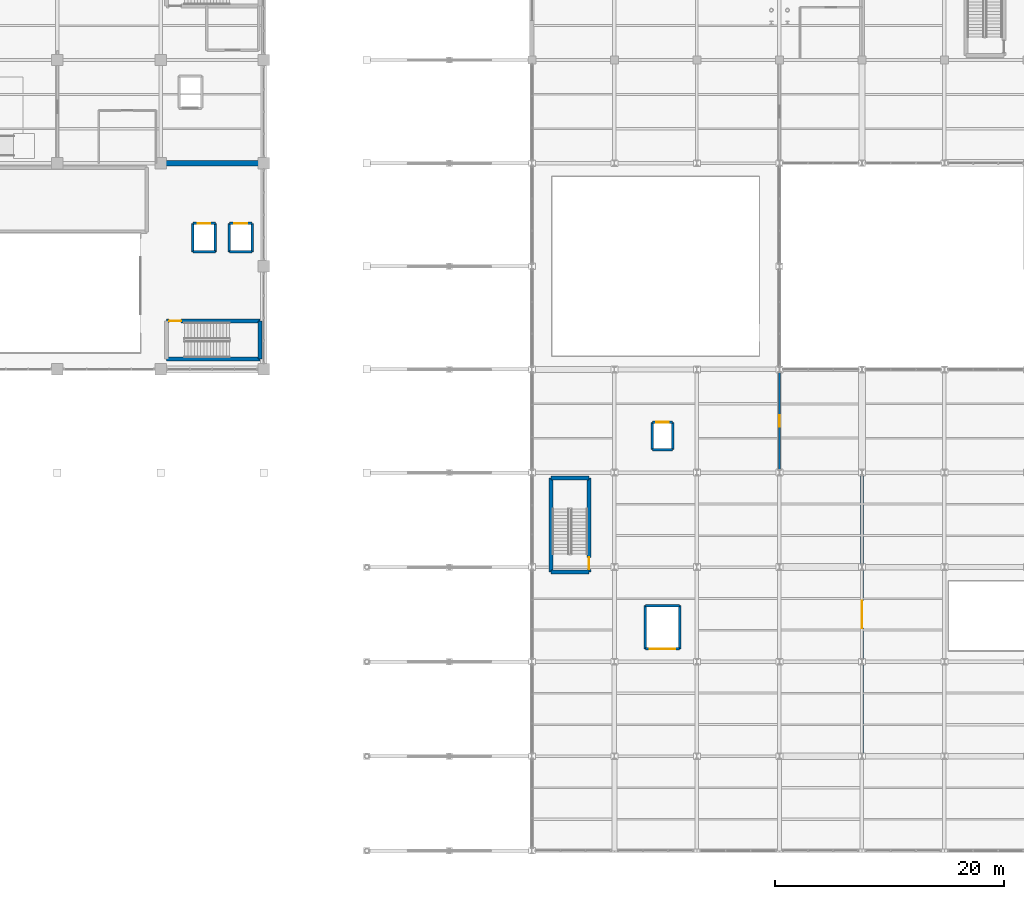
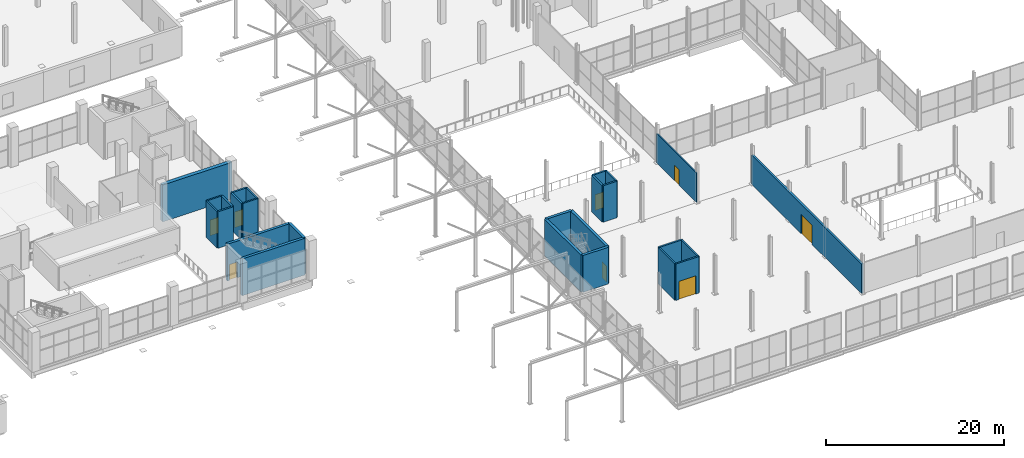
# One storey, part 130 of 147: 26 walls, 8 doors, 8 openings.
"""IFC4 building model written with IfcOpenShell, lengths in metres."""

from ifc_helpers import new_model, si_unit, direction, frame, frame_2d, origin, place, context, subcontext, project, spatial, rectangle, extrude, material, layer, layer_set, type_object, element, fill, save


model = new_model("IFC4")

# Units and contexts
model_context = context("Model", 3, precision=1e-05, world=origin(), true_north=direction((0.0, 1.0)))
body_context = subcontext(model_context, "Body", "Model", "MODEL_VIEW")
ifc_project = project(units=[si_unit("LENGTHUNIT", "METRE"), si_unit("AREAUNIT", "SQUARE_METRE"), si_unit("VOLUMEUNIT", "CUBIC_METRE"), si_unit("PLANEANGLEUNIT", "RADIAN"), si_unit("MASSUNIT", "GRAM", prefix="KILO")], contexts=[model_context])

# Site, building, storey
site_placement = place(None, origin())
site = spatial("IfcSite", under=ifc_project, at=site_placement, CompositionType="ELEMENT")
building_placement = place(site_placement, origin())
building = spatial("IfcBuilding", under=site, at=building_placement, Name="Sundgate Opera House", CompositionType="ELEMENT")
storey_placement = place(building_placement, frame((0.0, 0.0, 6.0)))
storey = spatial("IfcBuildingStorey", under=building, at=storey_placement, Name="L01", CompositionType="ELEMENT", Elevation=6.0)

# Wall
ifc_material_1 = material(Name="Concrete C40/50", Category="concrete")
ifc_layer_1 = layer(ifc_material_1, 0.35009765625)
ifc_layer_set_1 = layer_set([ifc_layer_1], Name="Concrete C40/50")
wall_type_1 = type_object("IfcWallType", Name="WL-CORE-350", PredefinedType="SHEAR", material=ifc_layer_set_1)
wall_1_placement = place(storey_placement, frame((63.510009765625, 42.909912109375, 0.0), z_axis=(0.0, 0.0, 1.0), x_axis=(1.0, 0.0, 0.0)))
element("IfcWall", 1, at=wall_1_placement, inside=storey, type_object=wall_type_1, Name="L01 C3 South Shaft Wall", PredefinedType="SHEAR", context=body_context, shape_type="SweptSolid", body=[
    extrude(rectangle(XDim=8.179931640625, YDim=0.35009765625, at=frame_2d((4.08984375, 0.0))), origin(), (0.0, 0.0, 1.0), 5.050048828125),
])

# Wall, opening, door
wall_2_placement = place(storey_placement, frame((63.510009765625, 46.239990234375, 0.0), z_axis=(0.0, 0.0, 1.0), x_axis=(1.0, 0.0, 0.0)))
wall_2 = element("IfcWall", 2, at=wall_2_placement, inside=storey, type_object=wall_type_1, Name="L01 C3 North Shaft Wall", PredefinedType="SHEAR", context=body_context, shape_type="SweptSolid", body=[
    extrude(rectangle(XDim=8.179931640625, YDim=0.35009765625, at=frame_2d((4.08984375, 0.0))), origin(), (0.0, 0.0, 1.0), 5.050048828125),
])
opening_1_placement = place(wall_2_placement, frame((0.239990234375, 0.0, 0.0)))
opening_1 = element("IfcOpeningElement", 3, at=opening_1_placement, cuts=wall_2, Name="Opening DI01", PredefinedType="OPENING", context=body_context, shape_type="SweptSolid", body=[
    extrude(rectangle(XDim=1.050048828125, YDim=2.179931640625, at=frame_2d((0.52490234375, 1.08984375))), frame((0.0, 0.18505859375, 0.0), z_axis=(0.0, -1.0, 0.0), x_axis=(1.0, 0.0, 0.0)), (0.0, 0.0, 1.0), 0.3701171875),
])
ifc_material_2 = material(Name="Acoustic hardwood timber and steel core", Category="steel")
door_type_1 = type_object("IfcDoorType", Name="DR-STAIR-1050x2180", OperationType="NOTDEFINED", PredefinedType="DOOR", material=ifc_material_2)
door_1_placement = place(opening_1_placement, origin())
door_1 = element("IfcDoor", 4, at=door_1_placement, inside=storey, type_object=door_type_1, Name="L01 C3 Stair Door D0050", OperationType="SINGLE_SWING_RIGHT", OverallHeight=2.179931640625, OverallWidth=1.050048828125, PredefinedType="DOOR", context=body_context, shape_type="SweptSolid", body=[
    extrude(rectangle(XDim=1.050048828125, YDim=2.179931640625, at=frame_2d((0.52490234375, 1.08984375))), frame((0.0, 0.02490234375, 0.0), z_axis=(0.0, -1.0, 0.0), x_axis=(1.0, 0.0, 0.0)), (0.0, 0.0, 1.0), 0.050048828125),
])
fill(opening_1, door_1)

# Walls
wall_3_placement = place(storey_placement, frame((71.68994140625, 42.909912109375, 0.0), z_axis=(0.0, 0.0, 1.0), x_axis=(0.0, 1.0, 0.0)))
element("IfcWall", 5, at=wall_3_placement, inside=storey, type_object=wall_type_1, Name="L01 C3 East Shaft Wall", PredefinedType="SHEAR", context=body_context, shape_type="SweptSolid", body=[
    extrude(rectangle(XDim=3.330078125, YDim=0.35009765625, at=frame_2d((1.6650390625, 0.0))), origin(), (0.0, 0.0, 1.0), 5.050048828125),
])
for number, where, z_axis, x_axis, name in (
    (6, (97.06005859375, 24.31005859375, 0.0), (0.0, 0.0, 1.0), (1.0, 0.0, 0.0), "L01 C7 South Shaft Wall"),
    (7, (97.06005859375, 32.5400390625, 0.0), (0.0, 0.0, 1.0), (1.0, 0.0, 0.0), "L01 C7 North Shaft Wall"),
):
    element("IfcWall", number, at=place(storey_placement, frame(where, z_axis=z_axis, x_axis=x_axis)), inside=storey, type_object=wall_type_1, Name=name, PredefinedType="SHEAR", context=body_context, shape_type="SweptSolid", body=[
        extrude(rectangle(XDim=3.329833984375, YDim=0.35009765625, at=frame_2d((1.6650390625, 0.0))), origin(), (0.0, 0.0, 1.0), 5.050048828125),
    ])
wall_4_placement = place(storey_placement, frame((97.06005859375, 24.31005859375, 0.0), z_axis=(0.0, 0.0, 1.0), x_axis=(0.0, 1.0, 0.0)))
element("IfcWall", 8, at=wall_4_placement, inside=storey, type_object=wall_type_1, Name="L01 C7 West Shaft Wall", PredefinedType="SHEAR", context=body_context, shape_type="SweptSolid", body=[
    extrude(rectangle(XDim=8.22998046875, YDim=0.35009765625, at=frame_2d((4.114990234375, 0.0))), origin(), (0.0, 0.0, 1.0), 5.050048828125),
])

# Wall, opening, door
wall_5_placement = place(storey_placement, frame((100.389892578125, 24.31005859375, 0.0), z_axis=(0.0, 0.0, 1.0), x_axis=(0.0, 1.0, 0.0)))
wall_5 = element("IfcWall", 9, at=wall_5_placement, inside=storey, type_object=wall_type_1, Name="L01 C7 East Shaft Wall", PredefinedType="SHEAR", context=body_context, shape_type="SweptSolid", body=[
    extrude(rectangle(XDim=8.22998046875, YDim=0.35009765625, at=frame_2d((4.114990234375, 0.0))), origin(), (0.0, 0.0, 1.0), 5.050048828125),
])
opening_2_placement = place(wall_5_placement, frame((0.239990234375, 0.0, 0.0)))
opening_2 = element("IfcOpeningElement", 10, at=opening_2_placement, cuts=wall_5, Name="Opening DI01", PredefinedType="OPENING", context=body_context, shape_type="SweptSolid", body=[
    extrude(rectangle(XDim=1.050048828125, YDim=2.179931640625, at=frame_2d((0.52490234375, 1.08984375))), frame((0.0, 0.18505859375, 0.0), z_axis=(0.0, -1.0, 0.0), x_axis=(1.0, 0.0, 0.0)), (0.0, 0.0, 1.0), 0.3701171875),
])
door_2_placement = place(opening_2_placement, origin())
door_2 = element("IfcDoor", 11, at=door_2_placement, inside=storey, type_object=door_type_1, Name="L01 C7 Stair Door D0085", OperationType="SINGLE_SWING_LEFT", OverallHeight=2.179931640625, OverallWidth=1.050048828125, PredefinedType="DOOR", context=body_context, shape_type="SweptSolid", body=[
    extrude(rectangle(XDim=1.050048828125, YDim=2.179931640625, at=frame_2d((0.52490234375, 1.08984375))), frame((0.0, 0.02490234375, 0.0), z_axis=(0.0, -1.0, 0.0), x_axis=(1.0, 0.0, 0.0)), (0.0, 0.0, 1.0), 0.050048828125),
])
fill(opening_2, door_2)

ifc_material_3 = material(Name="Acoustic masonry partition wall", Category="masonry")
ifc_layer_2 = layer(ifc_material_3, 0.260009765625)
ifc_layer_set_2 = layer_set([ifc_layer_2], Name="Acoustic masonry partition wall")
wall_type_2 = type_object("IfcWallType", Name="WL-INT-ACOUST-260", PredefinedType="PARTITIONING", material=ifc_layer_set_2)
wall_6_placement = place(storey_placement, frame((124.199951171875, 8.25, 0.0), z_axis=(0.0, 0.0, 1.0), x_axis=(0.0, 1.0, 0.0)))
wall_6 = element("IfcWall", 12, at=wall_6_placement, inside=storey, type_object=wall_type_2, Name="L01 Interior Partition W1034", PredefinedType="PARTITIONING", context=body_context, shape_type="SweptSolid", body=[
    extrude(rectangle(XDim=24.75, YDim=0.260009765625, at=frame_2d((12.375, 0.0))), origin(), (0.0, 0.0, 1.0), 4.06494140625),
])
opening_3_placement = place(wall_6_placement, frame((11.175048828125, 0.0, 0.0)))
opening_3 = element("IfcOpeningElement", 13, at=opening_3_placement, cuts=wall_6, Name="Opening DI05", PredefinedType="OPENING", context=body_context, shape_type="SweptSolid", body=[
    extrude(rectangle(XDim=2.39990234375, YDim=2.64990234375, at=frame_2d((1.199951171875, 1.324951171875))), frame((0.0, 0.139892578125, 0.0), z_axis=(0.0, -1.0, 0.0), x_axis=(1.0, 0.0, 0.0)), (0.0, 0.0, 1.0), 0.280029296875),
])
ifc_material_4 = material(Name="Acoustic hardwood timber and steel core", Category="steel")
door_type_2 = type_object("IfcDoorType", Name="DR-STAGE-2400x2650", OperationType="DOUBLE_DOOR_SINGLE_SWING", PredefinedType="DOOR", material=ifc_material_4)
door_3_placement = place(opening_3_placement, origin())
door_3 = element("IfcDoor", 14, at=door_3_placement, inside=storey, type_object=door_type_2, Name="L01 Interior Door D0203", OperationType="DOUBLE_DOOR_SINGLE_SWING", OverallHeight=2.64990234375, OverallWidth=2.39990234375, PredefinedType="DOOR", context=body_context, shape_type="SweptSolid", body=[
    extrude(rectangle(XDim=2.39990234375, YDim=2.64990234375, at=frame_2d((1.199951171875, 1.324951171875))), frame((0.0, 0.02490234375, 0.0), z_axis=(0.0, -1.0, 0.0), x_axis=(1.0, 0.0, 0.0)), (0.0, 0.0, 1.0), 0.050048828125),
])
fill(opening_3, door_3)

# Wall
ifc_material_5 = material(Name="Fire-rated gypsum and mineral-wool shaft partition", Category="gypsum")
ifc_layer_3 = layer(ifc_material_5, 0.219970703125)
ifc_layer_set_3 = layer_set([ifc_layer_3], Name="Fire-rated gypsum and mineral-wool shaft partition")
wall_type_3 = type_object("IfcWallType", Name="WL-INT-FIRE-220", PredefinedType="PARTITIONING", material=ifc_layer_set_3)
wall_7_placement = place(storey_placement, frame((65.81005859375, 52.260009765625, 0.0), z_axis=(0.0, 0.0, 1.0), x_axis=(1.0, 0.0, 0.0)))
element("IfcWall", 15, at=wall_7_placement, inside=storey, type_object=wall_type_3, Name="L01 LF-01 South Shaft Wall", PredefinedType="PARTITIONING", context=body_context, shape_type="SweptSolid", body=[
    extrude(rectangle(XDim=1.97998046875, YDim=0.219970703125, at=frame_2d((0.989990234375, 0.0))), origin(), (0.0, 0.0, 1.0), 5.014892578125),
])

# Wall, opening, door
wall_8_placement = place(storey_placement, frame((65.81005859375, 54.739990234375, 0.0), z_axis=(0.0, 0.0, 1.0), x_axis=(1.0, 0.0, 0.0)))
wall_8 = element("IfcWall", 16, at=wall_8_placement, inside=storey, type_object=wall_type_3, Name="L01 LF-01 North Shaft Wall", PredefinedType="PARTITIONING", context=body_context, shape_type="SweptSolid", body=[
    extrude(rectangle(XDim=1.97998046875, YDim=0.219970703125, at=frame_2d((0.989990234375, 0.0))), origin(), (0.0, 0.0, 1.0), 5.014892578125),
])
opening_4_placement = place(wall_8_placement, frame((0.43994140625, 0.0, 0.0)))
opening_4 = element("IfcOpeningElement", 17, at=opening_4_placement, cuts=wall_8, Name="Opening LD1", PredefinedType="OPENING", context=body_context, shape_type="SweptSolid", body=[
    extrude(rectangle(XDim=1.10009765625, YDim=2.179931640625, at=frame_2d((0.550048828125, 1.08984375))), frame((0.0, 0.119873046875, 0.0), z_axis=(0.0, -1.0, 0.0), x_axis=(1.0, 0.0, 0.0)), (0.0, 0.0, 1.0), 0.239990234375),
])
ifc_material_6 = material(Name="Brushed stainless steel EN 1.4301", Category="steel")
door_type_3 = type_object("IfcDoorType", Name="DR-LIFT-1100x2180", OperationType="DOUBLE_DOOR_SLIDING", PredefinedType="DOOR", material=ifc_material_6)
door_4_placement = place(opening_4_placement, origin())
door_4 = element("IfcDoor", 18, at=door_4_placement, inside=storey, type_object=door_type_3, Name="L01 LF-01 Landing Door D0094", OperationType="DOUBLE_DOOR_SLIDING", OverallHeight=2.179931640625, OverallWidth=1.10009765625, PredefinedType="DOOR", context=body_context, shape_type="SweptSolid", body=[
    extrude(rectangle(XDim=1.10009765625, YDim=2.179931640625, at=frame_2d((0.550048828125, 1.08984375))), frame((0.0, 0.02490234375, 0.0), z_axis=(0.0, -1.0, 0.0), x_axis=(1.0, 0.0, 0.0)), (0.0, 0.0, 1.0), 0.050048828125),
])
fill(opening_4, door_4)

# Walls
for number, where, z_axis, x_axis, name in (
    (19, (65.81005859375, 52.260009765625, 0.0), (0.0, 0.0, 1.0), (0.0, 1.0, 0.0), "L01 LF-01 West Shaft Wall"),
    (20, (67.7900390625, 52.260009765625, 0.0), (0.0, 0.0, 1.0), (0.0, 1.0, 0.0), "L01 LF-01 East Shaft Wall"),
):
    element("IfcWall", number, at=place(storey_placement, frame(where, z_axis=z_axis, x_axis=x_axis)), inside=storey, type_object=wall_type_3, Name=name, PredefinedType="PARTITIONING", context=body_context, shape_type="SweptSolid", body=[
        extrude(rectangle(XDim=2.47998046875, YDim=0.219970703125, at=frame_2d((1.239990234375, 0.0))), origin(), (0.0, 0.0, 1.0), 5.014892578125),
    ])
wall_9_placement = place(storey_placement, frame((69.010009765625, 52.260009765625, 0.0), z_axis=(0.0, 0.0, 1.0), x_axis=(1.0, 0.0, 0.0)))
element("IfcWall", 21, at=wall_9_placement, inside=storey, type_object=wall_type_3, Name="L01 LF-02 South Shaft Wall", PredefinedType="PARTITIONING", context=body_context, shape_type="SweptSolid", body=[
    extrude(rectangle(XDim=1.97998046875, YDim=0.219970703125, at=frame_2d((0.989990234375, 0.0))), origin(), (0.0, 0.0, 1.0), 5.014892578125),
])

# Wall, opening, door
wall_10_placement = place(storey_placement, frame((69.010009765625, 54.739990234375, 0.0), z_axis=(0.0, 0.0, 1.0), x_axis=(1.0, 0.0, 0.0)))
wall_10 = element("IfcWall", 22, at=wall_10_placement, inside=storey, type_object=wall_type_3, Name="L01 LF-02 North Shaft Wall", PredefinedType="PARTITIONING", context=body_context, shape_type="SweptSolid", body=[
    extrude(rectangle(XDim=1.97998046875, YDim=0.219970703125, at=frame_2d((0.989990234375, 0.0))), origin(), (0.0, 0.0, 1.0), 5.014892578125),
])
opening_5_placement = place(wall_10_placement, frame((0.43994140625, 0.0, 0.0)))
opening_5 = element("IfcOpeningElement", 23, at=opening_5_placement, cuts=wall_10, Name="Opening LD1", PredefinedType="OPENING", context=body_context, shape_type="SweptSolid", body=[
    extrude(rectangle(XDim=1.10009765625, YDim=2.179931640625, at=frame_2d((0.550048828125, 1.08984375))), frame((0.0, 0.119873046875, 0.0), z_axis=(0.0, -1.0, 0.0), x_axis=(1.0, 0.0, 0.0)), (0.0, 0.0, 1.0), 0.239990234375),
])
door_5_placement = place(opening_5_placement, origin())
door_5 = element("IfcDoor", 24, at=door_5_placement, inside=storey, type_object=door_type_3, Name="L01 LF-02 Landing Door D0101", OperationType="DOUBLE_DOOR_SLIDING", OverallHeight=2.179931640625, OverallWidth=1.10009765625, PredefinedType="DOOR", context=body_context, shape_type="SweptSolid", body=[
    extrude(rectangle(XDim=1.10009765625, YDim=2.179931640625, at=frame_2d((0.550048828125, 1.08984375))), frame((0.0, 0.02490234375, 0.0), z_axis=(0.0, -1.0, 0.0), x_axis=(1.0, 0.0, 0.0)), (0.0, 0.0, 1.0), 0.050048828125),
])
fill(opening_5, door_5)

# Walls
for number, where, z_axis, x_axis, name in (
    (25, (69.010009765625, 52.260009765625, 0.0), (0.0, 0.0, 1.0), (0.0, 1.0, 0.0), "L01 LF-02 West Shaft Wall"),
    (26, (70.989990234375, 52.260009765625, 0.0), (0.0, 0.0, 1.0), (0.0, 1.0, 0.0), "L01 LF-02 East Shaft Wall"),
):
    element("IfcWall", number, at=place(storey_placement, frame(where, z_axis=z_axis, x_axis=x_axis)), inside=storey, type_object=wall_type_3, Name=name, PredefinedType="PARTITIONING", context=body_context, shape_type="SweptSolid", body=[
        extrude(rectangle(XDim=2.47998046875, YDim=0.219970703125, at=frame_2d((1.239990234375, 0.0))), origin(), (0.0, 0.0, 1.0), 5.014892578125),
    ])
wall_11_placement = place(storey_placement, frame((105.909912109375, 35.010009765625, 0.0), z_axis=(0.0, 0.0, 1.0), x_axis=(1.0, 0.0, 0.0)))
element("IfcWall", 27, at=wall_11_placement, inside=storey, type_object=wall_type_3, Name="L01 LF-05 South Shaft Wall", PredefinedType="PARTITIONING", context=body_context, shape_type="SweptSolid", body=[
    extrude(rectangle(XDim=1.780029296875, YDim=0.219970703125, at=frame_2d((0.89013671875, 0.0))), origin(), (0.0, 0.0, 1.0), 5.014892578125),
])

# Wall, opening, door
wall_12_placement = place(storey_placement, frame((105.909912109375, 37.389892578125, 0.0), z_axis=(0.0, 0.0, 1.0), x_axis=(1.0, 0.0, 0.0)))
wall_12 = element("IfcWall", 28, at=wall_12_placement, inside=storey, type_object=wall_type_3, Name="L01 LF-05 North Shaft Wall", PredefinedType="PARTITIONING", context=body_context, shape_type="SweptSolid", body=[
    extrude(rectangle(XDim=1.780029296875, YDim=0.219970703125, at=frame_2d((0.89013671875, 0.0))), origin(), (0.0, 0.0, 1.0), 5.014892578125),
])
opening_6_placement = place(wall_12_placement, frame((0.340087890625, 0.0, 0.0)))
opening_6 = element("IfcOpeningElement", 29, at=opening_6_placement, cuts=wall_12, Name="Opening LD1", PredefinedType="OPENING", context=body_context, shape_type="SweptSolid", body=[
    extrude(rectangle(XDim=1.10009765625, YDim=2.179931640625, at=frame_2d((0.550048828125, 1.08984375))), frame((0.0, 0.119873046875, 0.0), z_axis=(0.0, -1.0, 0.0), x_axis=(1.0, 0.0, 0.0)), (0.0, 0.0, 1.0), 0.239990234375),
])
door_6_placement = place(opening_6_placement, origin())
door_6 = element("IfcDoor", 30, at=door_6_placement, inside=storey, type_object=door_type_3, Name="L01 LF-05 Landing Door D0121", OperationType="DOUBLE_DOOR_SLIDING", OverallHeight=2.179931640625, OverallWidth=1.10009765625, PredefinedType="DOOR", context=body_context, shape_type="SweptSolid", body=[
    extrude(rectangle(XDim=1.10009765625, YDim=2.179931640625, at=frame_2d((0.550048828125, 1.08984375))), frame((0.0, 0.02490234375, 0.0), z_axis=(0.0, -1.0, 0.0), x_axis=(1.0, 0.0, 0.0)), (0.0, 0.0, 1.0), 0.050048828125),
])
fill(opening_6, door_6)

# Walls
for number, where, z_axis, x_axis, name in (
    (31, (105.909912109375, 35.010009765625, 0.0), (0.0, 0.0, 1.0), (0.0, 1.0, 0.0), "L01 LF-05 West Shaft Wall"),
    (32, (107.68994140625, 35.010009765625, 0.0), (0.0, 0.0, 1.0), (0.0, 1.0, 0.0), "L01 LF-05 East Shaft Wall"),
):
    element("IfcWall", number, at=place(storey_placement, frame(where, z_axis=z_axis, x_axis=x_axis)), inside=storey, type_object=wall_type_3, Name=name, PredefinedType="PARTITIONING", context=body_context, shape_type="SweptSolid", body=[
        extrude(rectangle(XDim=2.3798828125, YDim=0.219970703125, at=frame_2d((1.18994140625, 0.0))), origin(), (0.0, 0.0, 1.0), 5.014892578125),
    ])

# Wall, opening, door
wall_13_placement = place(storey_placement, frame((105.31005859375, 17.610107421875, 0.0), z_axis=(0.0, 0.0, 1.0), x_axis=(1.0, 0.0, 0.0)))
wall_13 = element("IfcWall", 33, at=wall_13_placement, inside=storey, type_object=wall_type_3, Name="L01 GL-02 South Shaft Wall", PredefinedType="PARTITIONING", context=body_context, shape_type="SweptSolid", body=[
    extrude(rectangle(XDim=2.97998046875, YDim=0.219970703125, at=frame_2d((1.489990234375, 0.0))), origin(), (0.0, 0.0, 1.0), 5.014892578125),
])
opening_7_placement = place(wall_13_placement, frame((0.389892578125, 0.0, 0.0)))
opening_7 = element("IfcOpeningElement", 34, at=opening_7_placement, cuts=wall_13, Name="Opening LD3", PredefinedType="OPENING", context=body_context, shape_type="SweptSolid", body=[
    extrude(rectangle(XDim=2.199951171875, YDim=2.5, at=frame_2d((1.10009765625, 1.25))), frame((0.0, 0.119873046875, 0.0), z_axis=(0.0, -1.0, 0.0), x_axis=(1.0, 0.0, 0.0)), (0.0, 0.0, 1.0), 0.239990234375),
])
ifc_material_7 = material(Name="Brushed stainless steel EN 1.4301", Category="steel")
door_type_4 = type_object("IfcDoorType", Name="DR-LIFT-2200x2500", OperationType="DOUBLE_DOOR_SLIDING", PredefinedType="DOOR", material=ifc_material_7)
door_7_placement = place(opening_7_placement, origin())
door_7 = element("IfcDoor", 35, at=door_7_placement, inside=storey, type_object=door_type_4, Name="L01 GL-02 Landing Door D0151", OperationType="DOUBLE_DOOR_SLIDING", OverallHeight=2.5, OverallWidth=2.199951171875, PredefinedType="DOOR", context=body_context, shape_type="SweptSolid", body=[
    extrude(rectangle(XDim=2.199951171875, YDim=2.5, at=frame_2d((1.10009765625, 1.25))), frame((0.0, 0.02490234375, 0.0), z_axis=(0.0, -1.0, 0.0), x_axis=(1.0, 0.0, 0.0)), (0.0, 0.0, 1.0), 0.050048828125),
])
fill(opening_7, door_7)

# Walls
wall_14_placement = place(storey_placement, frame((105.31005859375, 21.389892578125, 0.0), z_axis=(0.0, 0.0, 1.0), x_axis=(1.0, 0.0, 0.0)))
element("IfcWall", 36, at=wall_14_placement, inside=storey, type_object=wall_type_3, Name="L01 GL-02 North Shaft Wall", PredefinedType="PARTITIONING", context=body_context, shape_type="SweptSolid", body=[
    extrude(rectangle(XDim=2.97998046875, YDim=0.219970703125, at=frame_2d((1.489990234375, 0.0))), origin(), (0.0, 0.0, 1.0), 5.014892578125),
])
for number, where, z_axis, x_axis, name in (
    (37, (105.31005859375, 17.610107421875, 0.0), (0.0, 0.0, 1.0), (0.0, 1.0, 0.0), "L01 GL-02 West Shaft Wall"),
    (38, (108.2900390625, 17.610107421875, 0.0), (0.0, 0.0, 1.0), (0.0, 1.0, 0.0), "L01 GL-02 East Shaft Wall"),
):
    element("IfcWall", number, at=place(storey_placement, frame(where, z_axis=z_axis, x_axis=x_axis)), inside=storey, type_object=wall_type_3, Name=name, PredefinedType="PARTITIONING", context=body_context, shape_type="SweptSolid", body=[
        extrude(rectangle(XDim=3.77978515625, YDim=0.219970703125, at=frame_2d((1.889892578125, 0.0))), origin(), (0.0, 0.0, 1.0), 5.014892578125),
    ])

# Wall, opening, door
ifc_material_8 = material(Name="General studio partition", Category="gypsum")
ifc_layer_4 = layer(ifc_material_8, 0.14501953125)
ifc_layer_set_4 = layer_set([ifc_layer_4], Name="General studio partition")
wall_type_4 = type_object("IfcWallType", Name="WL-INT-PART-145", PredefinedType="PARTITIONING", material=ifc_layer_set_4)
wall_15_placement = place(storey_placement, frame((117.0, 33.0, 0.0), z_axis=(0.0, 0.0, 1.0), x_axis=(0.0, 1.0, 0.0)))
wall_15 = element("IfcWall", 39, at=wall_15_placement, inside=storey, type_object=wall_type_4, Name="L01 Interior Partition W1029", PredefinedType="PARTITIONING", context=body_context, shape_type="SweptSolid", body=[
    extrude(rectangle(XDim=9.0, YDim=0.14501953125, at=frame_2d((4.5, 0.0))), origin(), (0.0, 0.0, 1.0), 4.06494140625),
])
opening_8_placement = place(wall_15_placement, frame((4.0, 0.0, 0.0)))
opening_8 = element("IfcOpeningElement", 40, at=opening_8_placement, cuts=wall_15, Name="Opening DI10", PredefinedType="OPENING", context=body_context, shape_type="SweptSolid", body=[
    extrude(rectangle(XDim=1.0, YDim=2.1201171875, at=frame_2d((0.5, 1.06005859375))), frame((0.0, 0.08251953125, 0.0), z_axis=(0.0, -1.0, 0.0), x_axis=(1.0, 0.0, 0.0)), (0.0, 0.0, 1.0), 0.1650390625),
])
ifc_material_9 = material(Name="Acoustic hardwood timber and steel core", Category="steel")
door_type_5 = type_object("IfcDoorType", Name="DR-UNR-1000x2120", OperationType="NOTDEFINED", PredefinedType="DOOR", material=ifc_material_9)
door_8_placement = place(opening_8_placement, origin())
door_8 = element("IfcDoor", 41, at=door_8_placement, inside=storey, type_object=door_type_5, Name="L01 Interior Door D0199", OperationType="SINGLE_SWING_LEFT", OverallHeight=2.1201171875, OverallWidth=1.0, PredefinedType="DOOR", context=body_context, shape_type="SweptSolid", body=[
    extrude(rectangle(XDim=1.0, YDim=2.1201171875, at=frame_2d((0.5, 1.06005859375))), frame((0.0, 0.02490234375, 0.0), z_axis=(0.0, -1.0, 0.0), x_axis=(1.0, 0.0, 0.0)), (0.0, 0.0, 1.0), 0.050048828125),
])
fill(opening_8, door_8)

# Wall
ifc_material_10 = material(Name="Concrete C40/50", Category="concrete")
ifc_layer_5 = layer(ifc_material_10, 0.47998046875)
ifc_layer_set_5 = layer_set([ifc_layer_5], Name="Concrete C40/50")
wall_type_5 = type_object("IfcWallType", Name="WL-PROS-480", PredefinedType="SHEAR", material=ifc_layer_set_5)
wall_16_placement = place(storey_placement, frame((63.0, 60.0, 0.0), z_axis=(0.0, 0.0, 1.0), x_axis=(1.0, 0.0, 0.0)))
element("IfcWall", 42, at=wall_16_placement, inside=storey, type_object=wall_type_5, Name="L01 Proscenium Shear Wall W0013", PredefinedType="SHEAR", context=body_context, shape_type="SweptSolid", body=[
    extrude(rectangle(XDim=9.0, YDim=0.47998046875, at=frame_2d((4.5, 0.0))), origin(), (0.0, 0.0, 1.0), 5.050048828125),
])

save(model, "model.ifc")
